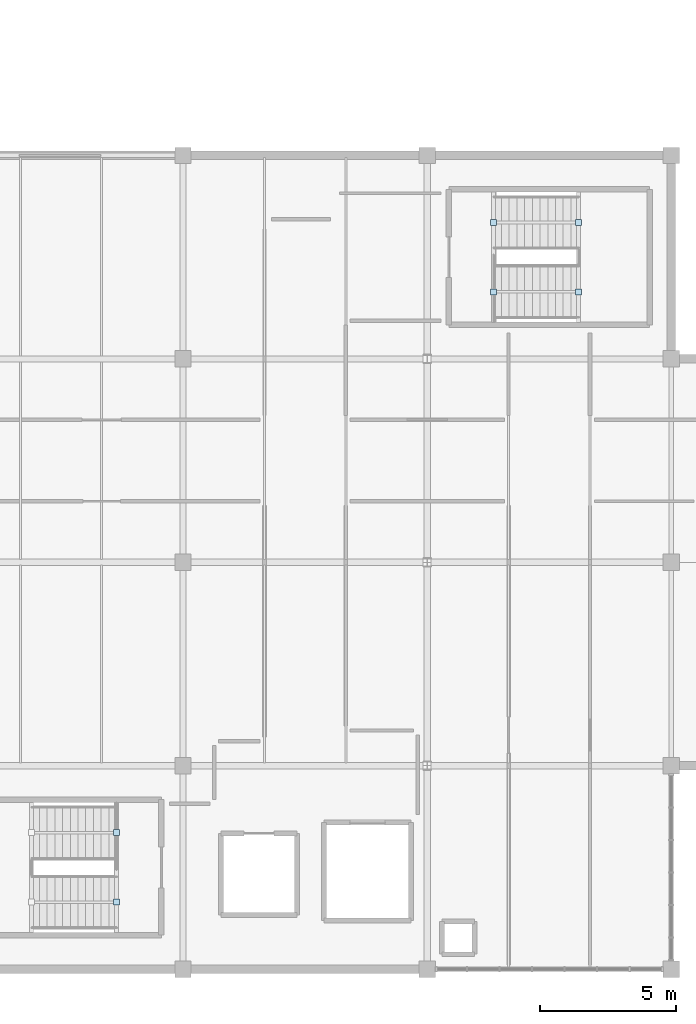
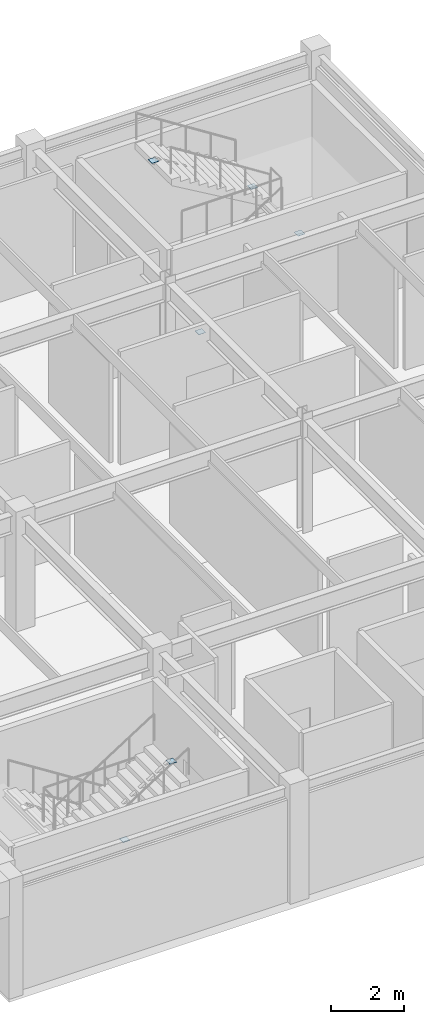
# One storey, part 60 of 76: 6 plates.
"""IFC4 building model written with IfcOpenShell, lengths in metres."""

from ifc_helpers import new_model, si_unit, direction, frame, origin, origin_2d, place, context, subcontext, project, spatial, rectangle, extrude, material, layer, layer_set, type_object, element, save


model = new_model("IFC4")

# Units and contexts
model_context = context("Model", 3, precision=1e-05, world=origin(), true_north=direction((0.0, 1.0)))
body_context = subcontext(model_context, "Body", "Model", "MODEL_VIEW")
ifc_project = project(units=[si_unit("LENGTHUNIT", "METRE"), si_unit("AREAUNIT", "SQUARE_METRE"), si_unit("VOLUMEUNIT", "CUBIC_METRE"), si_unit("PLANEANGLEUNIT", "RADIAN"), si_unit("MASSUNIT", "GRAM", prefix="KILO")], contexts=[model_context])

# Site, building, storey
site_placement = place(None, origin())
site = spatial("IfcSite", under=ifc_project, at=site_placement, CompositionType="ELEMENT")
building_placement = place(site_placement, origin())
building = spatial("IfcBuilding", under=site, at=building_placement, Name="Marnridge Secondary College", CompositionType="ELEMENT")
storey_placement = place(building_placement, frame((0.0, 0.0, 4.5)))
storey = spatial("IfcBuildingStorey", under=building, at=storey_placement, Name="L01", CompositionType="ELEMENT", Elevation=4.5)

# Plates
ifc_material = material(Name="Structural steel plate Grade 350 (AS/NZS 3678, fy = 350 MPa <=12mm, 340 MPa 12-20mm, 330 MPa 20-50mm)", Category="steel")
ifc_layer = layer(ifc_material, 0.010009765625)
ifc_layer_set = layer_set([ifc_layer], Name="PT-CAP-INT")
plate_type = type_object("IfcPlateType", Name="PT-CAP-INT", PredefinedType="SHEET", material=ifc_layer_set)
for number, where, z_axis, x_axis, name in (
    (1, (96.54833984375, 5.030029296875, -0.31201171875), (0.0, 0.0, 1.0), (-1.0, 0.0, 0.0), "Tube end cap STR-051-EC1"),
    (2, (96.54833984375, 2.469970703125, 3.85595703125), (0.0, 0.0, 1.0), (1.0, 0.0, 0.0), "Tube end cap STR-052-EC2"),
    (3, (110.45166015625, 24.969970703125, -0.31201171875), (0.0, 0.0, 1.0), (1.0, 0.0, 0.0), "Tube end cap STR-055-EC1"),
    (4, (113.58349609375, 24.969970703125, 1.8857421875), (0.0, 0.0, 1.0), (1.0, 0.0, 0.0), "Tube end cap STR-055-EC2"),
    (5, (113.583251953125, 27.530029296875, 1.88818359375), (0.0, 0.0, 1.0), (-1.0, 0.0, 0.0), "Tube end cap STR-056-EC1"),
    (6, (110.45166015625, 27.530029296875, 3.85595703125), (0.0, 0.0, 1.0), (-1.0, 0.0, 0.0), "Tube end cap STR-056-EC2"),
):
    element("IfcPlate", number, at=place(storey_placement, frame(where, z_axis=z_axis, x_axis=x_axis)), inside=storey, type_object=plate_type, Name=name, PredefinedType="SHEET", context=body_context, shape_type="SweptSolid", body=[
        extrude(rectangle(XDim=0.219970703125, YDim=0.219970703125, at=origin_2d()), origin(), (0.0, 0.0, 1.0), 0.010009765625),
    ])

save(model, "model.ifc")
